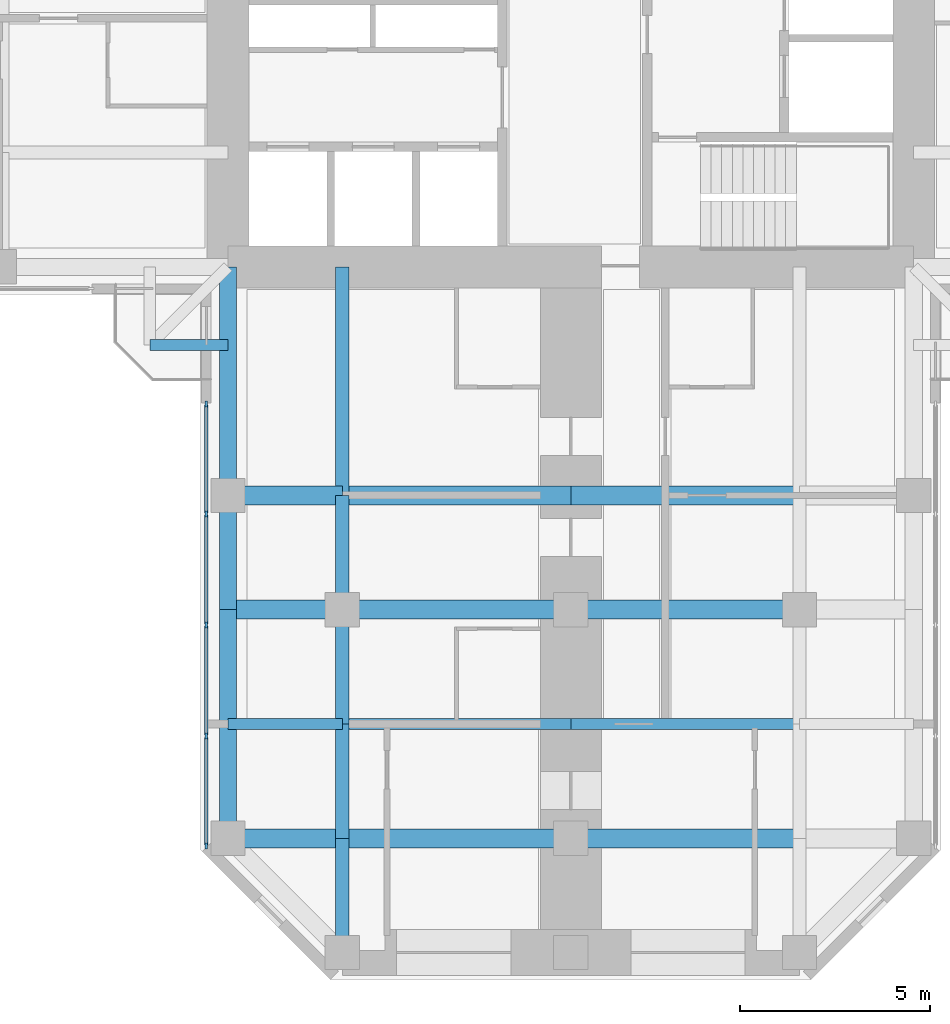
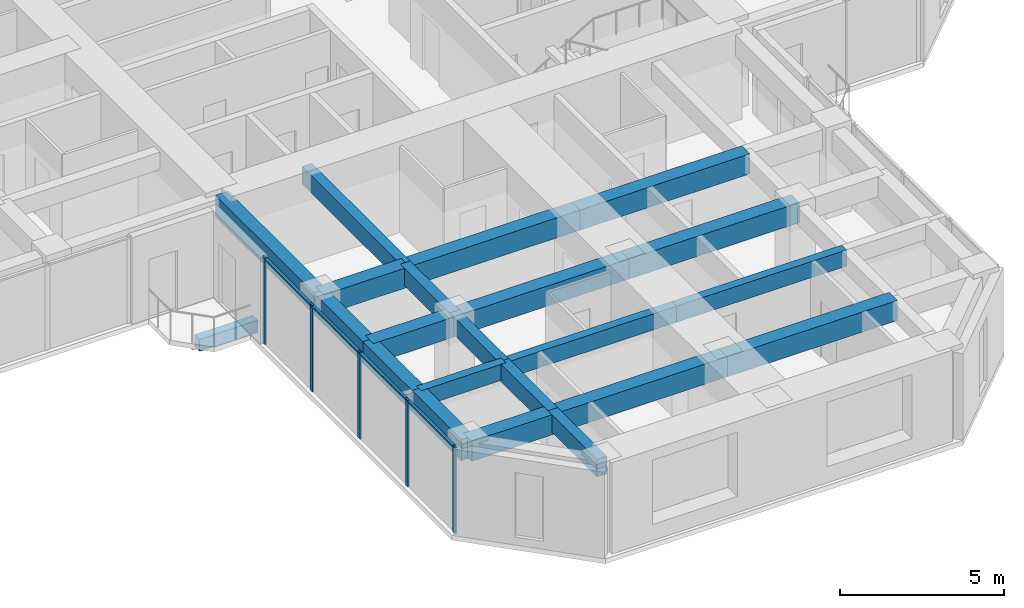
# One storey, part 2 of 14: 22 beams, 9 members, 1 element without a shape of its own.
"""IFC4 building model written with IfcOpenShell, lengths in metres."""

from ifc_helpers import new_model, si_unit, direction, frame, origin, origin_2d, place, context, subcontext, project, spatial, rectangle, extrude, material, material_profile, profile_set, type_object, element, aggregate, save


model = new_model("IFC4")

# Units and contexts
model_context = context("Model", 3, precision=1e-05, world=origin(), true_north=direction((0.0, 1.0)))
body_context = subcontext(model_context, "Body", "Model", "MODEL_VIEW")
ifc_project = project(units=[si_unit("LENGTHUNIT", "METRE"), si_unit("AREAUNIT", "SQUARE_METRE"), si_unit("VOLUMEUNIT", "CUBIC_METRE"), si_unit("PLANEANGLEUNIT", "RADIAN"), si_unit("MASSUNIT", "GRAM", prefix="KILO")], contexts=[model_context])

# Site, building, storey
site_placement = place(None, origin())
site = spatial("IfcSite", under=ifc_project, at=site_placement, CompositionType="ELEMENT")
building_placement = place(site_placement, origin())
building = spatial("IfcBuilding", under=site, at=building_placement, Name="Torre Cruceta", CompositionType="ELEMENT")
storey_placement = place(building_placement, frame((0.0, 0.0, 200.10009765625)))
storey = spatial("IfcBuildingStorey", under=building, at=storey_placement, Name="L50", CompositionType="ELEMENT", Elevation=200.10009765625)

# Beams
ifc_material_1 = material(Name="Concrete G60 (fck 60 MPa)", Category="concrete")
ifc_material_profile_1 = material_profile(ifc_material_1, rectangle(XDim=0.300048828125, YDim=0.449951171875, at=origin_2d()), Name="RC 300X450")
ifc_profile_set_1 = profile_set([ifc_material_profile_1], Name="Concrete G60 (fck 60 MPa)")
beam_type_1 = type_object("IfcBeamType", Name="BALCONY CANTILEVER BEAM RC 300X450", PredefinedType="BEAM", material=ifc_profile_set_1)
beam_1_placement = place(storey_placement, frame((-9.0, -11.050537109375, -0.405029296875), z_axis=(-1.0, 0.0, 0.0), x_axis=(0.0, -1.0, 0.0)))
element("IfcBeam", 1, at=beam_1_placement, inside=storey, type_object=beam_type_1, Name="BB1 balcony edge beam L50 W-Y", PredefinedType="BEAM", context=body_context, shape_type="SweptSolid", body=[
    extrude(rectangle(XDim=0.300048828125, YDim=0.449951171875, at=origin_2d()), origin(), (0.0, 0.0, 1.0), 2.050537109375),
])
ifc_material_2 = material(Name="Concrete G60 (fck 60 MPa)", Category="concrete")
ifc_material_profile_2 = material_profile(ifc_material_2, rectangle(XDim=0.35009765625, YDim=0.64990234375, at=origin_2d()), Name="RC 350X650")
ifc_profile_set_2 = profile_set([ifc_material_profile_2], Name="Concrete G60 (fck 60 MPa)")
beam_type_2 = type_object("IfcBeamType", Name="COLUMN LINE BEAM RC 350X650", PredefinedType="BEAM", material=ifc_profile_set_2)
beam_2_placement = place(storey_placement, frame((-6.0, -9.0, 2.89501953125), z_axis=(0.0, -1.0, 0.0), x_axis=(1.0, 0.0, 0.0)))
element("IfcBeam", 2, at=beam_2_placement, inside=storey, type_object=beam_type_2, Name="LB7 L50 S col- 1", PredefinedType="BEAM", context=body_context, shape_type="SweptSolid", body=[
    extrude(rectangle(XDim=0.35009765625, YDim=0.64990234375, at=origin_2d()), origin(), (0.0, 0.0, 1.0), 6.0),
])
for number, where, z_axis, x_axis, name in (
    (3, (-6.0, -15.0, 2.89501953125), (0.0, -1.0, 0.0), (1.0, 0.0, 0.0), "LB7 L50 S col- 2"),
    (4, (-6.0, -18.0, 2.89501953125), (0.0, -1.0, 0.0), (1.0, 0.0, 0.0), "LB7 L50 S col- 3"),
    (5, (-6.0, -21.0, 2.89501953125), (0.0, -1.0, 0.0), (1.0, 0.0, 0.0), "LB7 L50 S col- 4"),
    (6, (-6.0, -24.0, 2.89501953125), (0.0, -1.0, 0.0), (1.0, 0.0, 0.0), "LB7 L50 S col- 5"),
):
    element("IfcBeam", number, at=place(storey_placement, frame(where, z_axis=z_axis, x_axis=x_axis)), inside=storey, type_object=beam_type_2, Name=name, PredefinedType="BEAM", context=body_context, shape_type="SweptSolid", body=[
        extrude(rectangle(XDim=0.35009765625, YDim=0.64990234375, at=origin_2d()), origin(), (0.0, 0.0, 1.0), 3.0),
    ])
ifc_material_3 = material(Name="Concrete G60 (fck 60 MPa)", Category="concrete")
ifc_material_profile_3 = material_profile(ifc_material_3, rectangle(XDim=0.5, YDim=0.75, at=origin_2d()), Name="RC 500X750")
ifc_profile_set_3 = profile_set([ifc_material_profile_3], Name="Concrete G60 (fck 60 MPa)")
beam_type_3 = type_object("IfcBeamType", Name="CROSS BEAM RC 500X750", PredefinedType="BEAM", material=ifc_profile_set_3)
beam_3_placement = place(storey_placement, frame((-9.0, -15.0, 2.844970703125), z_axis=(1.0, 0.0, 0.0), x_axis=(0.0, 1.0, 0.0)))
element("IfcBeam", 7, at=beam_3_placement, inside=storey, type_object=beam_type_3, Name="GB6 L50 S cross15 1", PredefinedType="BEAM", context=body_context, shape_type="SweptSolid", body=[
    extrude(rectangle(XDim=0.5, YDim=0.75, at=origin_2d()), origin(), (0.0, 0.0, 1.0), 3.0),
])
for number, where, z_axis, x_axis, name in (
    (8, (-6.0, -15.0, 2.844970703125), (1.0, 0.0, 0.0), (0.0, 1.0, 0.0), "GB6 L50 S cross15 2"),
    (9, (0.0, -15.0, 2.844970703125), (1.0, 0.0, 0.0), (0.0, 1.0, 0.0), "GB6 L50 S cross15 3"),
):
    element("IfcBeam", number, at=place(storey_placement, frame(where, z_axis=z_axis, x_axis=x_axis)), inside=storey, type_object=beam_type_3, Name=name, PredefinedType="BEAM", context=body_context, shape_type="SweptSolid", body=[
        extrude(rectangle(XDim=0.5, YDim=0.75, at=origin_2d()), origin(), (0.0, 0.0, 1.0), 6.0),
    ])
beam_4_placement = place(storey_placement, frame((-9.0, -18.0, 2.844970703125), z_axis=(1.0, 0.0, 0.0), x_axis=(0.0, 1.0, 0.0)))
element("IfcBeam", 10, at=beam_4_placement, inside=storey, type_object=beam_type_3, Name="GB6 L50 S cross18 1", PredefinedType="BEAM", context=body_context, shape_type="SweptSolid", body=[
    extrude(rectangle(XDim=0.5, YDim=0.75, at=origin_2d()), origin(), (0.0, 0.0, 1.0), 3.0),
])
for number, where, z_axis, x_axis, name in (
    (11, (-6.0, -18.0, 2.844970703125), (1.0, 0.0, 0.0), (0.0, 1.0, 0.0), "GB6 L50 S cross18 2"),
    (12, (0.0, -18.0, 2.844970703125), (1.0, 0.0, 0.0), (0.0, 1.0, 0.0), "GB6 L50 S cross18 3"),
):
    element("IfcBeam", number, at=place(storey_placement, frame(where, z_axis=z_axis, x_axis=x_axis)), inside=storey, type_object=beam_type_3, Name=name, PredefinedType="BEAM", context=body_context, shape_type="SweptSolid", body=[
        extrude(rectangle(XDim=0.5, YDim=0.75, at=origin_2d()), origin(), (0.0, 0.0, 1.0), 6.0),
    ])
beam_5_placement = place(storey_placement, frame((-9.0, -24.0, 2.844970703125), z_axis=(1.0, 0.0, 0.0), x_axis=(0.0, 1.0, 0.0)))
element("IfcBeam", 13, at=beam_5_placement, inside=storey, type_object=beam_type_3, Name="GB6 L50 S cross24 1", PredefinedType="BEAM", context=body_context, shape_type="SweptSolid", body=[
    extrude(rectangle(XDim=0.5, YDim=0.75, at=origin_2d()), origin(), (0.0, 0.0, 1.0), 3.0),
])
for number, where, z_axis, x_axis, name in (
    (14, (-6.0, -24.0, 2.844970703125), (1.0, 0.0, 0.0), (0.0, 1.0, 0.0), "GB6 L50 S cross24 2"),
    (15, (0.0, -24.0, 2.844970703125), (1.0, 0.0, 0.0), (0.0, 1.0, 0.0), "GB6 L50 S cross24 3"),
):
    element("IfcBeam", number, at=place(storey_placement, frame(where, z_axis=z_axis, x_axis=x_axis)), inside=storey, type_object=beam_type_3, Name=name, PredefinedType="BEAM", context=body_context, shape_type="SweptSolid", body=[
        extrude(rectangle(XDim=0.5, YDim=0.75, at=origin_2d()), origin(), (0.0, 0.0, 1.0), 6.0),
    ])

# Curtain wall, members
ifc_material_4 = material(Name="Aluminium unitised curtain wall", Category="aluminium")
curtain_wall_type = type_object("IfcCurtainWallType", Name="CURTAIN WALL CW-C CO-LIVING", PredefinedType="USERDEFINED", material=ifc_material_4)
curtain_wall_placement = place(storey_placement, origin())
curtain_wall = element("IfcCurtainWall", 16, at=curtain_wall_placement, inside=storey, type_object=curtain_wall_type, Name="CW-C L50 S side 15", ObjectType="UNITISED", PredefinedType="USERDEFINED")
ifc_material_5 = material(Name="Aluminium mullion", Category="aluminium")
ifc_material_profile_4 = material_profile(ifc_material_5, rectangle(XDim=0.06005859375, YDim=0.159912109375, at=origin_2d()), Name="AL 60X160")
ifc_profile_set_4 = profile_set([ifc_material_profile_4], Name="Aluminium mullion")
member_type_1 = type_object("IfcMemberType", Name="CW-C MULLION 60X160", PredefinedType="MULLION", material=ifc_profile_set_4)
member_1_placement = place(storey_placement, frame((-9.570068359375, -12.60009765625, 0.0), z_axis=(0.0, 0.0, 1.0), x_axis=(1.0, 0.0, 0.0)))
member_1 = element("IfcMember", 17, at=member_1_placement, type_object=member_type_1, Name="CW-C mullion 1", PredefinedType="MULLION", context=body_context, shape_type="SweptSolid", body=[
    extrude(rectangle(XDim=0.06005859375, YDim=0.159912109375, at=origin_2d()), origin(), (0.0, 0.0, 1.0), 3.219970703125),
])
member_2_placement = place(storey_placement, frame((-9.570068359375, -15.486572265625, 0.0), z_axis=(0.0, 0.0, 1.0), x_axis=(1.0, 0.0, 0.0)))
member_2 = element("IfcMember", 18, at=member_2_placement, type_object=member_type_1, Name="CW-C mullion 2", PredefinedType="MULLION", context=body_context, shape_type="SweptSolid", body=[
    extrude(rectangle(XDim=0.06005859375, YDim=0.159912109375, at=origin_2d()), origin(), (0.0, 0.0, 1.0), 3.219970703125),
])
member_3_placement = place(storey_placement, frame((-9.570068359375, -18.403076171875, 0.0), z_axis=(0.0, 0.0, 1.0), x_axis=(1.0, 0.0, 0.0)))
member_3 = element("IfcMember", 19, at=member_3_placement, type_object=member_type_1, Name="CW-C mullion 3", PredefinedType="MULLION", context=body_context, shape_type="SweptSolid", body=[
    extrude(rectangle(XDim=0.06005859375, YDim=0.159912109375, at=origin_2d()), origin(), (0.0, 0.0, 1.0), 3.219970703125),
])
member_4_placement = place(storey_placement, frame((-9.570068359375, -21.319580078125, 0.0), z_axis=(0.0, 0.0, 1.0), x_axis=(1.0, 0.0, 0.0)))
member_4 = element("IfcMember", 20, at=member_4_placement, type_object=member_type_1, Name="CW-C mullion 4", PredefinedType="MULLION", context=body_context, shape_type="SweptSolid", body=[
    extrude(rectangle(XDim=0.06005859375, YDim=0.159912109375, at=origin_2d()), origin(), (0.0, 0.0, 1.0), 3.219970703125),
])
member_5_placement = place(storey_placement, frame((-9.570068359375, -24.2060546875, 0.0), z_axis=(0.0, 0.0, 1.0), x_axis=(1.0, 0.0, 0.0)))
member_5 = element("IfcMember", 21, at=member_5_placement, type_object=member_type_1, Name="CW-C mullion 5", PredefinedType="MULLION", context=body_context, shape_type="SweptSolid", body=[
    extrude(rectangle(XDim=0.06005859375, YDim=0.159912109375, at=origin_2d()), origin(), (0.0, 0.0, 1.0), 3.219970703125),
])
ifc_material_6 = material(Name="Aluminium transom", Category="aluminium")
ifc_material_profile_5 = material_profile(ifc_material_6, rectangle(XDim=0.10009765625, YDim=0.06005859375, at=origin_2d()), Name="AL 100X60")
ifc_profile_set_5 = profile_set([ifc_material_profile_5], Name="Aluminium transom")
member_type_2 = type_object("IfcMemberType", Name="CW-C TRANSOM 60X100", PredefinedType="USERDEFINED", material=ifc_profile_set_5)
member_6_placement = place(storey_placement, frame((-9.570068359375, -12.6298828125, 3.18994140625), z_axis=(0.0, -1.0, 0.0), x_axis=(1.0, 0.0, 0.0)))
member_6 = element("IfcMember", 22, at=member_6_placement, type_object=member_type_2, Name="CW-C transom 1", ObjectType="TRANSOM", PredefinedType="USERDEFINED", context=body_context, shape_type="SweptSolid", body=[
    extrude(rectangle(XDim=0.10009765625, YDim=0.06005859375, at=origin_2d()), origin(), (0.0, 0.0, 1.0), 2.82666015625),
])
member_7_placement = place(storey_placement, frame((-9.570068359375, -15.5166015625, 3.18994140625), z_axis=(0.0, -1.0, 0.0), x_axis=(1.0, 0.0, 0.0)))
member_7 = element("IfcMember", 23, at=member_7_placement, type_object=member_type_2, Name="CW-C transom 2", ObjectType="TRANSOM", PredefinedType="USERDEFINED", context=body_context, shape_type="SweptSolid", body=[
    extrude(rectangle(XDim=0.10009765625, YDim=0.06005859375, at=origin_2d()), origin(), (0.0, 0.0, 1.0), 2.8564453125),
])
member_8_placement = place(storey_placement, frame((-9.570068359375, -18.43310546875, 3.18994140625), z_axis=(0.0, -1.0, 0.0), x_axis=(1.0, 0.0, 0.0)))
member_8 = element("IfcMember", 24, at=member_8_placement, type_object=member_type_2, Name="CW-C transom 3", ObjectType="TRANSOM", PredefinedType="USERDEFINED", context=body_context, shape_type="SweptSolid", body=[
    extrude(rectangle(XDim=0.10009765625, YDim=0.06005859375, at=origin_2d()), origin(), (0.0, 0.0, 1.0), 2.8564453125),
])
member_9_placement = place(storey_placement, frame((-9.570068359375, -21.349609375, 3.18994140625), z_axis=(0.0, -1.0, 0.0), x_axis=(1.0, 0.0, 0.0)))
member_9 = element("IfcMember", 25, at=member_9_placement, type_object=member_type_2, Name="CW-C transom 4", ObjectType="TRANSOM", PredefinedType="USERDEFINED", context=body_context, shape_type="SweptSolid", body=[
    extrude(rectangle(XDim=0.10009765625, YDim=0.06005859375, at=origin_2d()), origin(), (0.0, 0.0, 1.0), 2.826416015625),
])
aggregate(curtain_wall, [member_1, member_2, member_3, member_4, member_5, member_6, member_7, member_8, member_9])

# Beams
ifc_material_7 = material(Name="Concrete G60 (fck 60 MPa)", Category="concrete")
ifc_material_profile_6 = material_profile(ifc_material_7, rectangle(XDim=0.300048828125, YDim=0.60009765625, at=origin_2d()), Name="RC 300X600")
ifc_profile_set_6 = profile_set([ifc_material_profile_6], Name="Concrete G60 (fck 60 MPa)")
beam_type_4 = type_object("IfcBeamType", Name="SECONDARY BEAM RC 300X600", PredefinedType="JOIST", material=ifc_profile_set_6)
beam_6_placement = place(storey_placement, frame((-9.0, -21.0, 2.919921875), z_axis=(1.0, 0.0, 0.0), x_axis=(0.0, 1.0, 0.0)))
element("IfcBeam", 26, at=beam_6_placement, inside=storey, type_object=beam_type_4, Name="JB6 L50 S sec21 1", PredefinedType="JOIST", context=body_context, shape_type="SweptSolid", body=[
    extrude(rectangle(XDim=0.300048828125, YDim=0.60009765625, at=origin_2d()), origin(), (0.0, 0.0, 1.0), 3.0),
])
for number, where, z_axis, x_axis, name in (
    (27, (-6.0, -21.0, 2.919921875), (1.0, 0.0, 0.0), (0.0, 1.0, 0.0), "JB6 L50 S sec21 2"),
    (28, (0.0, -21.0, 2.919921875), (1.0, 0.0, 0.0), (0.0, 1.0, 0.0), "JB6 L50 S sec21 3"),
):
    element("IfcBeam", number, at=place(storey_placement, frame(where, z_axis=z_axis, x_axis=x_axis)), inside=storey, type_object=beam_type_4, Name=name, PredefinedType="JOIST", context=body_context, shape_type="SweptSolid", body=[
        extrude(rectangle(XDim=0.300048828125, YDim=0.60009765625, at=origin_2d()), origin(), (0.0, 0.0, 1.0), 6.0),
    ])
ifc_material_8 = material(Name="Concrete G60 (fck 60 MPa)", Category="concrete")
ifc_material_profile_7 = material_profile(ifc_material_8, rectangle(XDim=0.449951171875, YDim=0.800048828125, at=origin_2d()), Name="RC 450X800")
ifc_profile_set_7 = profile_set([ifc_material_profile_7], Name="Concrete G60 (fck 60 MPa)")
beam_type_5 = type_object("IfcBeamType", Name="SPANDREL BEAM RC 450X800", PredefinedType="SPANDREL", material=ifc_profile_set_7)
beam_7_placement = place(storey_placement, frame((-9.0, -9.0, 2.81982421875), z_axis=(0.0, -1.0, 0.0), x_axis=(1.0, 0.0, 0.0)))
element("IfcBeam", 29, at=beam_7_placement, inside=storey, type_object=beam_type_5, Name="SB6 L50 S side- 1", PredefinedType="SPANDREL", context=body_context, shape_type="SweptSolid", body=[
    extrude(rectangle(XDim=0.449951171875, YDim=0.800048828125, at=origin_2d()), origin(), (0.0, 0.0, 1.0), 6.0),
])
for number, where, z_axis, x_axis, name in (
    (30, (-9.0, -15.0, 2.81982421875), (0.0, -1.0, 0.0), (1.0, 0.0, 0.0), "SB6 L50 S side- 2"),
    (31, (-9.0, -18.0, 2.81982421875), (0.0, -1.0, 0.0), (1.0, 0.0, 0.0), "SB6 L50 S side- 3"),
    (32, (-9.0, -21.0, 2.81982421875), (0.0, -1.0, 0.0), (1.0, 0.0, 0.0), "SB6 L50 S side- 4"),
):
    element("IfcBeam", number, at=place(storey_placement, frame(where, z_axis=z_axis, x_axis=x_axis)), inside=storey, type_object=beam_type_5, Name=name, PredefinedType="SPANDREL", context=body_context, shape_type="SweptSolid", body=[
        extrude(rectangle(XDim=0.449951171875, YDim=0.800048828125, at=origin_2d()), origin(), (0.0, 0.0, 1.0), 3.0),
    ])

save(model, "model.ifc")
